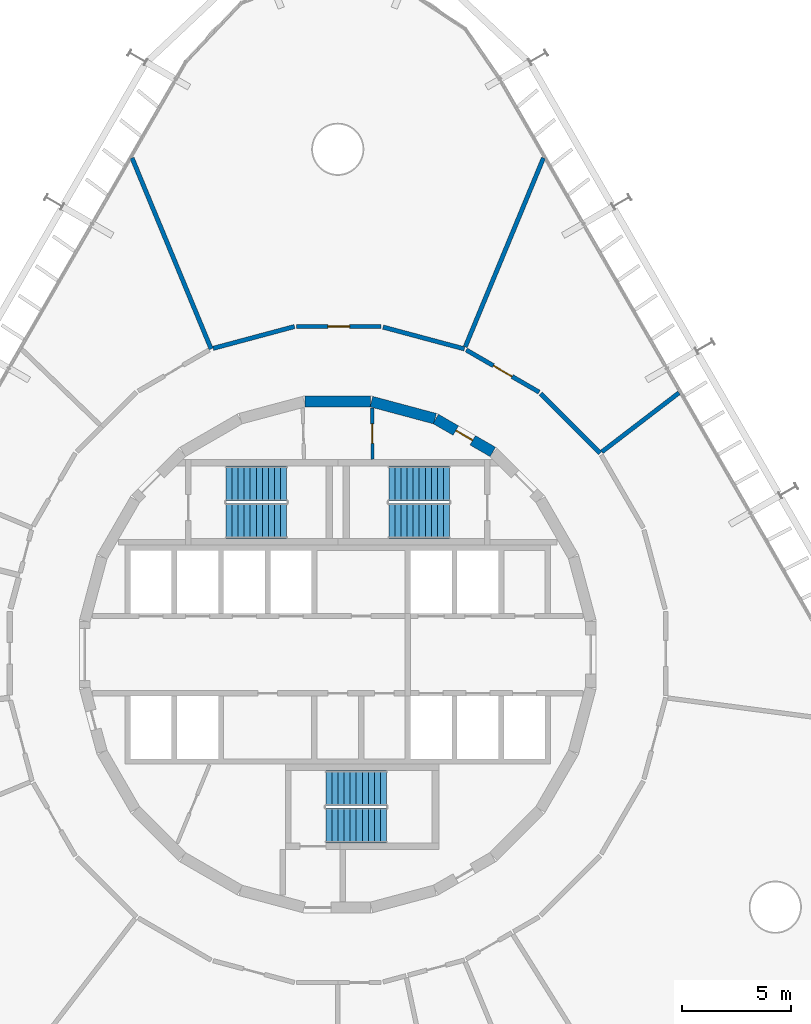
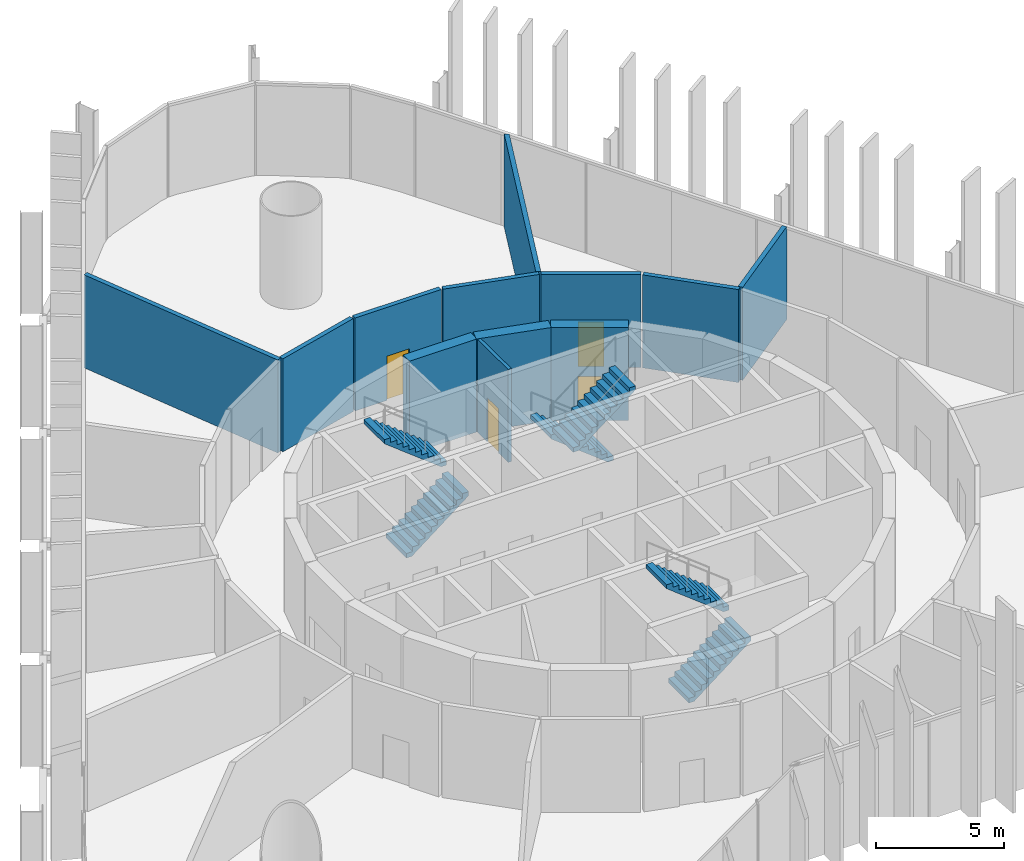
# One storey, part 17 of 18: 12 walls, 6 stair flights, 4 doors, 4 openings, 3 elements without a shape of their own.
"""IFC4 building model written with IfcOpenShell, lengths in metres."""

import ifcopenshell
import ifcopenshell.guid

model = None  # the IFC model being written
_history = None  # IfcOwnerHistory: only IFC2X3 demands one
_inside = {}  # id of a spatial element -> (the spatial element, [elements in it])
_under = {}  # id of a project, library or spatial element -> (it, [spatial elements below it])
_declared = {}  # id of a project -> (the project, [libraries it declares])
_typed = {}  # id of a type object -> (the type object, [elements of that type])
_made_of = {}  # id of a material, layer set ... -> (it, [elements and type objects made of it])


def new_model(schema):
    """Start an empty IFC model of exactly this schema.

    Asked for "IFC4X3", IfcOpenShell would pick the latest addendum, in which some entities
    have other attributes; the version numbers below select the first issue.
    IFC2X3 requires an IfcOwnerHistory on every rooted entity: one is made here for all.
    """
    global model, _history
    if schema == "IFC4X3":
        model = ifcopenshell.file(schema_version=(4, 3, 0, 0))
    else:
        model = ifcopenshell.file(schema=schema)
    _inside.clear()
    _under.clear()
    _declared.clear()
    _typed.clear()
    _made_of.clear()
    _history = None
    if model.schema == "IFC2X3":
        org = make("IfcOrganization", Name="unknown")
        user = make(
            "IfcPersonAndOrganization",
            ThePerson=make("IfcPerson", FamilyName="unknown"),
            TheOrganization=org,
        )
        app = make(
            "IfcApplication",
            ApplicationDeveloper=org,
            Version="unknown",
            ApplicationFullName="unknown",
            ApplicationIdentifier="unknown",
        )
        _history = make(
            "IfcOwnerHistory",
            OwningUser=user,
            OwningApplication=app,
            ChangeAction="ADDED",
            CreationDate=0,
        )
    return model


def make(cls, **values):
    """One entity of the class cls with the attributes given. An attribute that is None is left unset."""
    return model.create_entity(
        cls, **{name: value for name, value in values.items() if value is not None}
    )


def rooted(cls, **values):
    """An entity with a GlobalId (a new one), such as an element, a storey or a relation."""
    return make(cls, GlobalId=ifcopenshell.guid.new(), OwnerHistory=_history, **values)


def si_unit(unit_type, name, prefix=None):
    """IfcSIUnit, for example si_unit("LENGTHUNIT", "METRE", prefix="MILLI")."""
    return make("IfcSIUnit", UnitType=unit_type, Prefix=prefix, Name=name)


def assignment(units):
    """IfcUnitAssignment: the units of a project."""
    return None if units is None else make("IfcUnitAssignment", Units=units)


def point(xyz):
    """IfcCartesianPoint."""
    return None if xyz is None else make("IfcCartesianPoint", Coordinates=xyz)


def direction(xyz):
    """IfcDirection."""
    return None if xyz is None else make("IfcDirection", DirectionRatios=xyz)


def frame(location, z_axis=None, x_axis=None):
    """IfcAxis2Placement3D, a coordinate frame: its origin and axes. An axis left out is left unset."""
    return make(
        "IfcAxis2Placement3D",
        Location=point(location),
        Axis=direction(z_axis),
        RefDirection=direction(x_axis),
    )


def frame_2d(location, x_axis=None):
    """IfcAxis2Placement2D, a coordinate frame in the plane: its origin and x axis."""
    return make(
        "IfcAxis2Placement2D", Location=point(location), RefDirection=direction(x_axis)
    )


def origin():
    """The frame at (0, 0, 0) with its axes left unset."""
    return frame((0.0, 0.0, 0.0))


def place(relative_to, where):
    """IfcLocalPlacement: puts the frame where relative to a parent placement (None: the world)."""
    return make(
        "IfcLocalPlacement", PlacementRelTo=relative_to, RelativePlacement=where
    )


def context(
    kind, dimensions, precision=None, world=None, true_north=None, identifier=None
):
    """IfcGeometricRepresentationContext, for example the 3D "Model" context."""
    return make(
        "IfcGeometricRepresentationContext",
        ContextIdentifier=identifier,
        ContextType=kind,
        CoordinateSpaceDimension=dimensions,
        Precision=precision,
        WorldCoordinateSystem=world,
        TrueNorth=true_north,
    )


def subcontext(parent, identifier, kind, view, scale=None):
    """IfcGeometricRepresentationSubContext, for example "Body" below "Model"."""
    return make(
        "IfcGeometricRepresentationSubContext",
        ContextIdentifier=identifier,
        ContextType=kind,
        ParentContext=parent,
        TargetScale=scale,
        TargetView=view,
    )


def project(units=None, contexts=None):
    """IfcProject with its units and contexts."""
    return rooted(
        "IfcProject",
        Name="project",
        RepresentationContexts=contexts,
        UnitsInContext=assignment(units),
    )


def spatial(cls, under=None, at=None, **own):
    """A site, building, storey or space (cls), placed at a placement, below another one or the project."""
    s = rooted(cls, ObjectPlacement=at, **own)
    if under is not None:
        _under.setdefault(under.id(), (under, []))[1].append(s)
    return s


def polyline(points):
    """IfcPolyline through the points."""
    return make("IfcPolyline", Points=[point(p) for p in points])


def profile(cls, at=None, kind="AREA", **sizes):
    """A parametric profile (cls). Its sizes go by their IFC names, for example OverallWidth=200.0."""
    return make(cls, ProfileType=kind, Position=at, **sizes)


def rectangle(**sizes):
    """IfcRectangleProfileDef."""
    return profile("IfcRectangleProfileDef", **sizes)


def outline(outer, holes=None, kind="AREA"):
    """IfcArbitraryClosedProfileDef: a profile drawn as a closed curve; with holes, ...WithVoids."""
    if holes is None:
        return make("IfcArbitraryClosedProfileDef", ProfileType=kind, OuterCurve=outer)
    return make(
        "IfcArbitraryProfileDefWithVoids",
        ProfileType=kind,
        OuterCurve=outer,
        InnerCurves=holes,
    )


def extrude(swept, where, along, depth):
    """IfcExtrudedAreaSolid: the profile swept, set in the frame where, extruded along a direction by depth."""
    return make(
        "IfcExtrudedAreaSolid",
        SweptArea=swept,
        Position=where,
        ExtrudedDirection=direction(along),
        Depth=depth,
    )


def shape(context_of_items, identifier, shape_type, items):
    """IfcShapeRepresentation: the items that make up one representation, for example the "Body"."""
    return make(
        "IfcShapeRepresentation",
        ContextOfItems=context_of_items,
        RepresentationIdentifier=identifier,
        RepresentationType=shape_type,
        Items=items,
    )


def material(Name=None, Category=None):
    """IfcMaterial."""
    return make("IfcMaterial", Name=Name, Category=Category)


def layer(
    of_material, thickness, ventilated=None, Name=None, Category=None, Priority=None
):
    """IfcMaterialLayer: one layer of a wall or slab, of a material (None: an air gap)."""
    return make(
        "IfcMaterialLayer",
        Material=of_material,
        LayerThickness=thickness,
        IsVentilated=ventilated,
        Name=Name,
        Category=Category,
        Priority=Priority,
    )


def layer_set(layers, Name=None):
    """IfcMaterialLayerSet."""
    return make("IfcMaterialLayerSet", MaterialLayers=layers, LayerSetName=Name)


def made_of(thing, what):
    """Note that an element or type object is made of a material, layer set ...; save() writes the relation."""
    if what is not None:
        _made_of.setdefault(what.id(), (what, []))[1].append(thing)
    return thing


def type_object(cls, material=None, **own):
    """A type object (cls), such as IfcWallType, which elements share."""
    return made_of(rooted(cls, **own), material)


def element(
    cls,
    number,
    at=None,
    inside=None,
    cuts=None,
    type_object=None,
    material=None,
    context=None,
    identifier="Body",
    shape_type=None,
    held_by="IfcProductDefinitionShape",
    body=None,
    shapes=None,
    **own,
):
    """One element of the class cls, such as IfcWall. Its Tag is "e" and its number.

    at: its placement. inside: the storey or other place that contains it. cuts: it is an
    opening in that element (IfcRelVoidsElement). A single representation is given by context,
    identifier, shape_type and body (its items); several are given by shapes. held_by: the class
    of the entity that holds the representations. save() writes the other relations.
    """
    e = rooted(cls, Tag="e%d" % number, ObjectPlacement=at, **own)
    if body is not None:
        shapes = [shape(context, identifier, shape_type, body)]
    if shapes is not None:
        e.Representation = make(held_by, Representations=shapes)
    if inside is not None:
        _inside.setdefault(inside.id(), (inside, []))[1].append(e)
    if cuts is not None:
        rooted(
            "IfcRelVoidsElement", RelatingBuildingElement=cuts, RelatedOpeningElement=e
        )
    if type_object is not None:
        _typed.setdefault(type_object.id(), (type_object, []))[1].append(e)
    return made_of(e, material)


def fill(opening, filler):
    """IfcRelFillsElement: the door or window that sits in an opening."""
    return rooted(
        "IfcRelFillsElement",
        RelatingOpeningElement=opening,
        RelatedBuildingElement=filler,
    )


def aggregate(whole, parts):
    """IfcRelAggregates: a whole, such as a stair, and the parts it consists of."""
    return rooted("IfcRelAggregates", RelatingObject=whole, RelatedObjects=parts)


def save(model, path):
    """Write the relations noted so far, then the file.

    IfcRelAggregates (storeys below a building ...), IfcRelContainedInSpatialStructure (elements
    in a storey), IfcRelDefinesByType, IfcRelAssociatesMaterial and IfcRelDeclares: one each for
    every whole, place, type object, material and project.
    """
    for whole, parts in _under.values():
        aggregate(whole, parts)
    for where, things in _inside.values():
        rooted(
            "IfcRelContainedInSpatialStructure",
            RelatedElements=things,
            RelatingStructure=where,
        )
    for kind, things in _typed.values():
        rooted("IfcRelDefinesByType", RelatedObjects=things, RelatingType=kind)
    for what, things in _made_of.values():
        rooted("IfcRelAssociatesMaterial", RelatedObjects=things, RelatingMaterial=what)
    for by, libraries in _declared.values():
        rooted("IfcRelDeclares", RelatingContext=by, RelatedDefinitions=libraries)
    model.write(path)


model = new_model("IFC4")

# Units and contexts
model_context = context("Model", 3, precision=1e-05, world=origin(), true_north=direction((0.0, 1.0)))
body_context = subcontext(model_context, "Body", "Model", "MODEL_VIEW")
ifc_project = project(units=[si_unit("LENGTHUNIT", "METRE"), si_unit("AREAUNIT", "SQUARE_METRE"), si_unit("VOLUMEUNIT", "CUBIC_METRE"), si_unit("PLANEANGLEUNIT", "RADIAN"), si_unit("MASSUNIT", "GRAM", prefix="KILO")], contexts=[model_context])

# Site, building, storey
site_placement = place(None, origin())
site = spatial("IfcSite", under=ifc_project, at=site_placement, CompositionType="ELEMENT")
building_placement = place(site_placement, origin())
building = spatial("IfcBuilding", under=site, at=building_placement, Name="Spindle Arch Residences", CompositionType="ELEMENT")
storey_placement = place(building_placement, frame((0.0, 0.0, 9.0)))
storey = spatial("IfcBuildingStorey", under=building, at=storey_placement, Name="L01", CompositionType="ELEMENT", Elevation=9.0)

# Wall, opening, door
ifc_material_1 = material(Name="Concrete C50/60", Category="concrete")
ifc_layer_1 = layer(ifc_material_1, 0.5)
ifc_layer_set_1 = layer_set([ifc_layer_1], Name="Core outline wall 500")
wall_type_1 = type_object("IfcWallType", Name="Core outline wall 500", PredefinedType="SHEAR", material=ifc_layer_set_1)
wall_1_placement = place(storey_placement, frame((7.13671875, 9.32861328125, 0.0), z_axis=(0.0, 0.0, 1.0), x_axis=(-0.865975092491, 0.500087131594, 0.0)))
wall_1 = element("IfcWall", 1, at=wall_1_placement, inside=storey, type_object=wall_type_1, Name="Core outline wall 10", PredefinedType="SHEAR", context=body_context, shape_type="SweptSolid", body=[
    extrude(rectangle(XDim=3.03271484375, YDim=0.5, at=frame_2d((1.516357421875, 0.0))), origin(), (0.0, 0.0, 1.0), 4.419921875),
])
opening_1_placement = place(wall_1_placement, frame((1.06640625, 0.0, 0.0)))
opening_1 = element("IfcOpeningElement", 2, at=opening_1_placement, cuts=wall_1, Name="Opening L01-WD11", PredefinedType="OPENING", context=body_context, shape_type="SweptSolid", body=[
    extrude(rectangle(XDim=0.89990234375, YDim=2.10009765625, at=frame_2d((0.449951171875, 1.050048828125))), frame((0.0, 0.260009765625, 0.0), z_axis=(0.0, -1.0, 0.0), x_axis=(1.0, 0.0, 0.0)), (0.0, 0.0, 1.0), 0.52001953125),
])
ifc_material_2 = material(Name="Steel, fire-resisting door", Category="steel")
door_type_1 = type_object("IfcDoorType", Name="Service room door 900x2100", OperationType="SINGLE_SWING_LEFT", PredefinedType="DOOR", material=ifc_material_2)
door_1_placement = place(opening_1_placement, origin())
door_1 = element("IfcDoor", 3, at=door_1_placement, inside=storey, type_object=door_type_1, Name="Service room door L01-WD11", OperationType="SINGLE_SWING_RIGHT", OverallHeight=2.10009765625, OverallWidth=0.89990234375, PredefinedType="DOOR", context=body_context, shape_type="SweptSolid", body=[
    extrude(rectangle(XDim=0.89990234375, YDim=2.10009765625, at=frame_2d((0.449951171875, 1.050048828125))), frame((0.0, 0.02490234375, 0.0), z_axis=(0.0, -1.0, 0.0), x_axis=(1.0, 0.0, 0.0)), (0.0, 0.0, 1.0), 0.050048828125),
])
fill(opening_1, door_1)

# Walls
for number, where, z_axis, x_axis, name in (
    (4, (4.479248046875, 10.858154296875, 0.0), (0.0, 0.0, 1.0), (-0.965948410781, 0.258734743916, 0.0), "Core outline wall 11"),
    (5, (1.516357421875, 11.647216796875, 0.0), (0.0, 0.0, 1.0), (-1.0, 0.0, 0.0), "Core outline wall 12"),
):
    element("IfcWall", number, at=place(storey_placement, frame(where, z_axis=z_axis, x_axis=x_axis)), inside=storey, type_object=wall_type_1, Name=name, PredefinedType="SHEAR", context=body_context, shape_type="SweptSolid", body=[
        extrude(rectangle(XDim=3.03271484375, YDim=0.5, at=frame_2d((1.516357421875, 0.0))), origin(), (0.0, 0.0, 1.0), 4.419921875),
    ])
ifc_material_3 = material(Name="Gypsum board partition on steel studs", Category="steel")
ifc_layer_2 = layer(ifc_material_3, 0.199951171875)
ifc_layer_set_2 = layer_set([ifc_layer_2], Name="Partition EI 60 200 amenity")
wall_type_2 = type_object("IfcWallType", Name="Partition EI 60 200 amenity", PredefinedType="PARTITIONING", material=ifc_layer_set_2)
wall_2_placement = place(storey_placement, frame((-5.830078125, 14.070068359375, 0.0), z_axis=(0.0, 0.0, 1.0), x_axis=(-0.382588257379, 0.923918949538, 0.0)))
element("IfcWall", 6, at=wall_2_placement, inside=storey, type_object=wall_type_2, Name="L01-W018", PredefinedType="PARTITIONING", context=body_context, shape_type="SweptSolid", body=[
    extrude(rectangle(XDim=9.513916015625, YDim=0.199951171875, at=frame_2d((4.7568359375, 0.0))), origin(), (0.0, 0.0, 1.0), 4.419921875),
])
wall_3_placement = place(storey_placement, frame((-1.989990234375, 15.10009765625, 0.0), z_axis=(0.0, 0.0, 1.0), x_axis=(-0.96585437197, -0.259085569159, 0.0)))
element("IfcWall", 7, at=wall_3_placement, inside=storey, type_object=wall_type_2, Name="L01-W021", PredefinedType="PARTITIONING", context=body_context, shape_type="SweptSolid", body=[
    extrude(rectangle(XDim=3.875732421875, YDim=0.199951171875, at=frame_2d((1.93798828125, 0.0))), origin(), (0.0, 0.0, 1.0), 4.419921875),
])

# Wall, opening, door
wall_4_placement = place(storey_placement, frame((1.989990234375, 15.10009765625, 0.0), z_axis=(0.0, 0.0, 1.0), x_axis=(-1.0, 0.0, 0.0)))
wall_4 = element("IfcWall", 8, at=wall_4_placement, inside=storey, type_object=wall_type_2, Name="L01-W025", PredefinedType="PARTITIONING", context=body_context, shape_type="SweptSolid", body=[
    extrude(rectangle(XDim=3.8798828125, YDim=0.199951171875, at=frame_2d((1.93994140625, 0.0))), origin(), (0.0, 0.0, 1.0), 4.419921875),
])
opening_2_placement = place(wall_4_placement, frame((1.43994140625, 0.0, 0.0)))
opening_2 = element("IfcOpeningElement", 9, at=opening_2_placement, cuts=wall_4, Name="Opening L01-D14", PredefinedType="OPENING", context=body_context, shape_type="SweptSolid", body=[
    extrude(rectangle(XDim=1.0, YDim=2.10009765625, at=frame_2d((0.5, 1.050048828125))), frame((0.0, 0.10986328125, 0.0), z_axis=(0.0, -1.0, 0.0), x_axis=(1.0, 0.0, 0.0)), (0.0, 0.0, 1.0), 0.219970703125),
])
ifc_material_4 = material(Name="Timber door leaf", Category="wood")
door_type_2 = type_object("IfcDoorType", Name="Door 1000x2100 EI 30", OperationType="SINGLE_SWING_LEFT", PredefinedType="DOOR", material=ifc_material_4)
door_2_placement = place(opening_2_placement, origin())
door_2 = element("IfcDoor", 10, at=door_2_placement, inside=storey, type_object=door_type_2, Name="L01-D14", OperationType="SINGLE_SWING_LEFT", OverallHeight=2.10009765625, OverallWidth=1.0, PredefinedType="DOOR", context=body_context, shape_type="SweptSolid", body=[
    extrude(rectangle(XDim=1.0, YDim=2.10009765625, at=frame_2d((0.5, 1.050048828125))), frame((0.0, 0.02490234375, 0.0), z_axis=(0.0, -1.0, 0.0), x_axis=(1.0, 0.0, 0.0)), (0.0, 0.0, 1.0), 0.050048828125),
])
fill(opening_2, door_2)

# Wall
wall_5_placement = place(storey_placement, frame((5.830078125, 14.070068359375, 0.0), z_axis=(0.0, 0.0, 1.0), x_axis=(-0.965870133458, 0.259026804199, 0.0)))
element("IfcWall", 11, at=wall_5_placement, inside=storey, type_object=wall_type_2, Name="L01-W030", PredefinedType="PARTITIONING", context=body_context, shape_type="SweptSolid", body=[
    extrude(rectangle(XDim=3.875732421875, YDim=0.199951171875, at=frame_2d((1.93798828125, 0.0))), origin(), (0.0, 0.0, 1.0), 4.419921875),
])

# Wall, opening, door
wall_6_placement = place(storey_placement, frame((9.27001953125, 12.080078125, 0.0), z_axis=(0.0, 0.0, 1.0), x_axis=(-0.865601686425, 0.500733182901, 0.0)))
wall_6 = element("IfcWall", 12, at=wall_6_placement, inside=storey, type_object=wall_type_2, Name="L01-W034", PredefinedType="PARTITIONING", context=body_context, shape_type="SweptSolid", body=[
    extrude(rectangle(XDim=3.874267578125, YDim=0.199951171875, at=frame_2d((1.93701171875, 0.0))), origin(), (0.0, 0.0, 1.0), 4.419921875),
])
opening_3_placement = place(wall_6_placement, frame((1.43701171875, 0.0, 0.0)))
opening_3 = element("IfcOpeningElement", 13, at=opening_3_placement, cuts=wall_6, Name="Opening L01-D12", PredefinedType="OPENING", context=body_context, shape_type="SweptSolid", body=[
    extrude(rectangle(XDim=1.0, YDim=2.10009765625, at=frame_2d((0.5, 1.050048828125))), frame((0.0, 0.10986328125, 0.0), z_axis=(0.0, -1.0, 0.0), x_axis=(1.0, 0.0, 0.0)), (0.0, 0.0, 1.0), 0.219970703125),
])
door_3_placement = place(opening_3_placement, origin())
door_3 = element("IfcDoor", 14, at=door_3_placement, inside=storey, type_object=door_type_2, Name="L01-D12", OperationType="SINGLE_SWING_LEFT", OverallHeight=2.10009765625, OverallWidth=1.0, PredefinedType="DOOR", context=body_context, shape_type="SweptSolid", body=[
    extrude(rectangle(XDim=1.0, YDim=2.10009765625, at=frame_2d((0.5, 1.050048828125))), frame((0.0, 0.02490234375, 0.0), z_axis=(0.0, -1.0, 0.0), x_axis=(1.0, 0.0, 0.0)), (0.0, 0.0, 1.0), 0.050048828125),
])
fill(opening_3, door_3)

# Walls
wall_7_placement = place(storey_placement, frame((9.469970703125, 22.860107421875, 0.0), z_axis=(0.0, 0.0, 1.0), x_axis=(-0.382599926304, -0.923914117433, 0.0)))
element("IfcWall", 15, at=wall_7_placement, inside=storey, type_object=wall_type_2, Name="L01-W035", PredefinedType="PARTITIONING", context=body_context, shape_type="SweptSolid", body=[
    extrude(rectangle(XDim=9.4140625, YDim=0.199951171875, at=frame_2d((4.70703125, 0.0))), origin(), (0.0, 0.0, 1.0), 4.419921875),
])
wall_8_placement = place(storey_placement, frame((12.080078125, 9.27001953125, 0.0), z_axis=(0.0, 0.0, 1.0), x_axis=(-0.707106781187, 0.707106781187, 0.0)))
element("IfcWall", 16, at=wall_8_placement, inside=storey, type_object=wall_type_2, Name="L01-W037", PredefinedType="PARTITIONING", context=body_context, shape_type="SweptSolid", body=[
    extrude(rectangle(XDim=3.873779296875, YDim=0.199951171875, at=frame_2d((1.93701171875, 0.0))), origin(), (0.0, 0.0, 1.0), 4.419921875),
])
wall_9_placement = place(storey_placement, frame((12.159423828125, 9.330810546875, 0.0), z_axis=(0.0, 0.0, 1.0), x_axis=(0.793912908327, 0.608031490954, 0.0)))
element("IfcWall", 17, at=wall_9_placement, inside=storey, type_object=wall_type_2, Name="L01-W038", PredefinedType="PARTITIONING", context=body_context, shape_type="SweptSolid", body=[
    extrude(rectangle(XDim=4.47216796875, YDim=0.199951171875, at=frame_2d((2.236083984375, 0.0))), origin(), (0.0, 0.0, 1.0), 4.419921875),
])

# Wall, opening, door
ifc_material_5 = material(Name="Concrete C25/30", Category="concrete")
ifc_layer_3 = layer(ifc_material_5, 0.14990234375)
ifc_layer_set_3 = layer_set([ifc_layer_3], Name="Service room partition 150")
wall_type_3 = type_object("IfcWallType", Name="Service room partition 150", PredefinedType="PARTITIONING", material=ifc_layer_set_3)
wall_10_placement = place(storey_placement, frame((1.585693359375, 11.3544921875, 0.0), z_axis=(0.0, 0.0, 1.0), x_axis=(0.007227482881, -0.999973881405, 0.0)))
wall_10 = element("IfcWall", 18, at=wall_10_placement, inside=storey, type_object=wall_type_3, Name="Core service room partition", PredefinedType="PARTITIONING", context=body_context, shape_type="SweptSolid", body=[
    extrude(rectangle(XDim=2.364501953125, YDim=0.14990234375, at=frame_2d((1.18212890625, 0.0))), origin(), (0.0, 0.0, 1.0), 4.419921875),
])
opening_4_placement = place(wall_10_placement, frame((0.732177734375, 0.0, 0.0)))
opening_4 = element("IfcOpeningElement", 19, at=opening_4_placement, cuts=wall_10, Name="Opening L01-WD07", PredefinedType="OPENING", context=body_context, shape_type="SweptSolid", body=[
    extrude(rectangle(XDim=0.89990234375, YDim=2.10009765625, at=frame_2d((0.449951171875, 1.050048828125))), frame((0.0, 0.0849609375, 0.0), z_axis=(0.0, -1.0, 0.0), x_axis=(1.0, 0.0, 0.0)), (0.0, 0.0, 1.0), 0.169921875),
])
door_4_placement = place(opening_4_placement, origin())
door_4 = element("IfcDoor", 20, at=door_4_placement, inside=storey, type_object=door_type_1, Name="Service room door L01-WD07", OperationType="SINGLE_SWING_RIGHT", OverallHeight=2.10009765625, OverallWidth=0.89990234375, PredefinedType="DOOR", context=body_context, shape_type="SweptSolid", body=[
    extrude(rectangle(XDim=0.89990234375, YDim=2.10009765625, at=frame_2d((0.449951171875, 1.050048828125))), frame((0.0, 0.02490234375, 0.0), z_axis=(0.0, -1.0, 0.0), x_axis=(1.0, 0.0, 0.0)), (0.0, 0.0, 1.0), 0.050048828125),
])
fill(opening_4, door_4)

# Stair, stair flights
ifc_material_6 = material(Name="Concrete C50/60", Category="concrete")
stair_type = type_object("IfcStairType", Name="Exit stair 22 risers", PredefinedType="HALF_TURN_STAIR", material=ifc_material_6)
stair_1_placement = place(storey_placement, origin())
stair_1 = element("IfcStair", 21, at=stair_1_placement, inside=storey, type_object=stair_type, Name="L01 Exit stair ST1", PredefinedType="HALF_TURN_STAIR")
ifc_material_7 = material(Name="Concrete C50/60", Category="concrete")
stair_flight_type = type_object("IfcStairFlightType", Name="Exit stair flight", PredefinedType="STRAIGHT", material=ifc_material_7)
stair_flight_1_placement = place(storey_placement, frame((5.14990234375, 7.8701171875, 0.0), z_axis=(0.0, 0.0, 1.0), x_axis=(-1.0, 0.0, 0.0)))
stair_flight_1 = element("IfcStairFlight", 22, at=stair_flight_1_placement, type_object=stair_flight_type, Name="ST1 flight 1", NumberOfRisers=11, NumberOfTreads=10, PredefinedType="STRAIGHT", RiserHeight=0.218181818, TreadLength=0.28, context=body_context, shape_type="SweptSolid", body=[
    extrude(outline(polyline([(0.0, 0.0), (0.0, 0.21826171875), (0.280029296875, 0.21826171875), (0.280029296875, 0.436279296875), (0.56005859375, 0.436279296875), (0.56005859375, 0.654541015625), (0.840087890625, 0.654541015625), (0.840087890625, 0.872802734375), (1.1201171875, 0.872802734375), (1.1201171875, 1.0908203125), (1.39990234375, 1.0908203125), (1.39990234375, 1.30908203125), (1.679931640625, 1.30908203125), (1.679931640625, 1.52734375), (1.9599609375, 1.52734375), (1.9599609375, 1.745361328125), (2.239990234375, 1.745361328125), (2.239990234375, 1.963623046875), (2.52001953125, 1.963623046875), (2.52001953125, 2.181884765625), (2.800048828125, 2.181884765625), (2.800048828125, 2.39990234375), (2.800048828125, 1.99169921875), (0.243896484375, 0.0), (0.0, 0.0)])), frame((0.0, 0.800048828125, 0.0), z_axis=(0.0, -1.0, 0.0), x_axis=(1.0, 0.0, 0.0)), (0.0, 0.0, 1.0), 1.60009765625),
])
stair_flight_2_placement = place(storey_placement, frame((2.35009765625, 6.14990234375, 2.39990234375), z_axis=(0.0, 0.0, 1.0), x_axis=(1.0, 0.0, 0.0)))
stair_flight_2 = element("IfcStairFlight", 23, at=stair_flight_2_placement, type_object=stair_flight_type, Name="ST1 flight 2", NumberOfRisers=11, NumberOfTreads=10, PredefinedType="STRAIGHT", RiserHeight=0.218181818, TreadLength=0.28, context=body_context, shape_type="SweptSolid", body=[
    extrude(outline(polyline([(0.0, 0.0), (0.0, 0.21826171875), (0.280029296875, 0.21826171875), (0.280029296875, 0.436279296875), (0.56005859375, 0.436279296875), (0.56005859375, 0.654541015625), (0.840087890625, 0.654541015625), (0.840087890625, 0.872802734375), (1.1201171875, 0.872802734375), (1.1201171875, 1.0908203125), (1.39990234375, 1.0908203125), (1.39990234375, 1.30908203125), (1.679931640625, 1.30908203125), (1.679931640625, 1.52734375), (1.9599609375, 1.52734375), (1.9599609375, 1.745361328125), (2.239990234375, 1.745361328125), (2.239990234375, 1.963623046875), (2.52001953125, 1.963623046875), (2.52001953125, 2.181884765625), (2.800048828125, 2.181884765625), (2.800048828125, 2.39990234375), (2.800048828125, 1.99169921875), (0.243896484375, 0.0), (0.0, 0.0)])), frame((0.0, 0.800048828125, 0.0), z_axis=(0.0, -1.0, 0.0), x_axis=(1.0, 0.0, 0.0)), (0.0, 0.0, 1.0), 1.60009765625),
])
aggregate(stair_1, [stair_flight_1, stair_flight_2])

stair_2_placement = place(storey_placement, origin())
stair_2 = element("IfcStair", 24, at=stair_2_placement, inside=storey, type_object=stair_type, Name="L01 Exit stair ST2", PredefinedType="HALF_TURN_STAIR")
stair_flight_3_placement = place(storey_placement, frame((-5.14990234375, 6.14990234375, 0.0), z_axis=(0.0, 0.0, 1.0), x_axis=(1.0, 0.0, 0.0)))
stair_flight_3 = element("IfcStairFlight", 25, at=stair_flight_3_placement, type_object=stair_flight_type, Name="ST2 flight 1", NumberOfRisers=11, NumberOfTreads=10, PredefinedType="STRAIGHT", RiserHeight=0.218181818, TreadLength=0.28, context=body_context, shape_type="SweptSolid", body=[
    extrude(outline(polyline([(0.0, 0.0), (0.0, 0.21826171875), (0.280029296875, 0.21826171875), (0.280029296875, 0.436279296875), (0.56005859375, 0.436279296875), (0.56005859375, 0.654541015625), (0.840087890625, 0.654541015625), (0.840087890625, 0.872802734375), (1.1201171875, 0.872802734375), (1.1201171875, 1.0908203125), (1.39990234375, 1.0908203125), (1.39990234375, 1.30908203125), (1.679931640625, 1.30908203125), (1.679931640625, 1.52734375), (1.9599609375, 1.52734375), (1.9599609375, 1.745361328125), (2.239990234375, 1.745361328125), (2.239990234375, 1.963623046875), (2.52001953125, 1.963623046875), (2.52001953125, 2.181884765625), (2.800048828125, 2.181884765625), (2.800048828125, 2.39990234375), (2.800048828125, 1.99169921875), (0.243896484375, 0.0), (0.0, 0.0)])), frame((0.0, 0.800048828125, 0.0), z_axis=(0.0, -1.0, 0.0), x_axis=(1.0, 0.0, 0.0)), (0.0, 0.0, 1.0), 1.60009765625),
])
stair_flight_4_placement = place(storey_placement, frame((-2.35009765625, 7.8701171875, 2.39990234375), z_axis=(0.0, 0.0, 1.0), x_axis=(-1.0, 0.0, 0.0)))
stair_flight_4 = element("IfcStairFlight", 26, at=stair_flight_4_placement, type_object=stair_flight_type, Name="ST2 flight 2", NumberOfRisers=11, NumberOfTreads=10, PredefinedType="STRAIGHT", RiserHeight=0.218181818, TreadLength=0.28, context=body_context, shape_type="SweptSolid", body=[
    extrude(outline(polyline([(0.0, 0.0), (0.0, 0.21826171875), (0.280029296875, 0.21826171875), (0.280029296875, 0.436279296875), (0.56005859375, 0.436279296875), (0.56005859375, 0.654541015625), (0.840087890625, 0.654541015625), (0.840087890625, 0.872802734375), (1.1201171875, 0.872802734375), (1.1201171875, 1.0908203125), (1.39990234375, 1.0908203125), (1.39990234375, 1.30908203125), (1.679931640625, 1.30908203125), (1.679931640625, 1.52734375), (1.9599609375, 1.52734375), (1.9599609375, 1.745361328125), (2.239990234375, 1.745361328125), (2.239990234375, 1.963623046875), (2.52001953125, 1.963623046875), (2.52001953125, 2.181884765625), (2.800048828125, 2.181884765625), (2.800048828125, 2.39990234375), (2.800048828125, 1.99169921875), (0.243896484375, 0.0), (0.0, 0.0)])), frame((0.0, 0.800048828125, 0.0), z_axis=(0.0, -1.0, 0.0), x_axis=(1.0, 0.0, 0.0)), (0.0, 0.0, 1.0), 1.60009765625),
])
aggregate(stair_2, [stair_flight_3, stair_flight_4])

stair_3_placement = place(storey_placement, origin())
stair_3 = element("IfcStair", 27, at=stair_3_placement, inside=storey, type_object=stair_type, Name="L01 Exit stair ST3", PredefinedType="HALF_TURN_STAIR")
stair_flight_5_placement = place(storey_placement, frame((-0.550048828125, -7.8701171875, 0.0), z_axis=(0.0, 0.0, 1.0), x_axis=(1.0, 0.0, 0.0)))
stair_flight_5 = element("IfcStairFlight", 28, at=stair_flight_5_placement, type_object=stair_flight_type, Name="ST3 flight 1", NumberOfRisers=11, NumberOfTreads=10, PredefinedType="STRAIGHT", RiserHeight=0.218181818, TreadLength=0.28, context=body_context, shape_type="SweptSolid", body=[
    extrude(outline(polyline([(0.0, 0.0), (0.0, 0.21826171875), (0.280029296875, 0.21826171875), (0.280029296875, 0.436279296875), (0.56005859375, 0.436279296875), (0.56005859375, 0.654541015625), (0.840087890625, 0.654541015625), (0.840087890625, 0.872802734375), (1.1201171875, 0.872802734375), (1.1201171875, 1.0908203125), (1.39990234375, 1.0908203125), (1.39990234375, 1.30908203125), (1.679931640625, 1.30908203125), (1.679931640625, 1.52734375), (1.9599609375, 1.52734375), (1.9599609375, 1.745361328125), (2.239990234375, 1.745361328125), (2.239990234375, 1.963623046875), (2.52001953125, 1.963623046875), (2.52001953125, 2.181884765625), (2.800048828125, 2.181884765625), (2.800048828125, 2.39990234375), (2.800048828125, 1.99169921875), (0.243896484375, 0.0), (0.0, 0.0)])), frame((0.0, 0.800048828125, 0.0), z_axis=(0.0, -1.0, 0.0), x_axis=(1.0, 0.0, 0.0)), (0.0, 0.0, 1.0), 1.60009765625),
])
stair_flight_6_placement = place(storey_placement, frame((2.25, -6.14990234375, 2.39990234375), z_axis=(0.0, 0.0, 1.0), x_axis=(-1.0, 0.0, 0.0)))
stair_flight_6 = element("IfcStairFlight", 29, at=stair_flight_6_placement, type_object=stair_flight_type, Name="ST3 flight 2", NumberOfRisers=11, NumberOfTreads=10, PredefinedType="STRAIGHT", RiserHeight=0.218181818, TreadLength=0.28, context=body_context, shape_type="SweptSolid", body=[
    extrude(outline(polyline([(0.0, 0.0), (0.0, 0.21826171875), (0.280029296875, 0.21826171875), (0.280029296875, 0.436279296875), (0.56005859375, 0.436279296875), (0.56005859375, 0.654541015625), (0.840087890625, 0.654541015625), (0.840087890625, 0.872802734375), (1.1201171875, 0.872802734375), (1.1201171875, 1.0908203125), (1.39990234375, 1.0908203125), (1.39990234375, 1.30908203125), (1.679931640625, 1.30908203125), (1.679931640625, 1.52734375), (1.9599609375, 1.52734375), (1.9599609375, 1.745361328125), (2.239990234375, 1.745361328125), (2.239990234375, 1.963623046875), (2.52001953125, 1.963623046875), (2.52001953125, 2.181884765625), (2.800048828125, 2.181884765625), (2.800048828125, 2.39990234375), (2.800048828125, 1.99169921875), (0.243896484375, 0.0), (0.0, 0.0)])), frame((0.0, 0.800048828125, 0.0), z_axis=(0.0, -1.0, 0.0), x_axis=(1.0, 0.0, 0.0)), (0.0, 0.0, 1.0), 1.60009765625),
])
aggregate(stair_3, [stair_flight_5, stair_flight_6])

save(model, "model.ifc")
